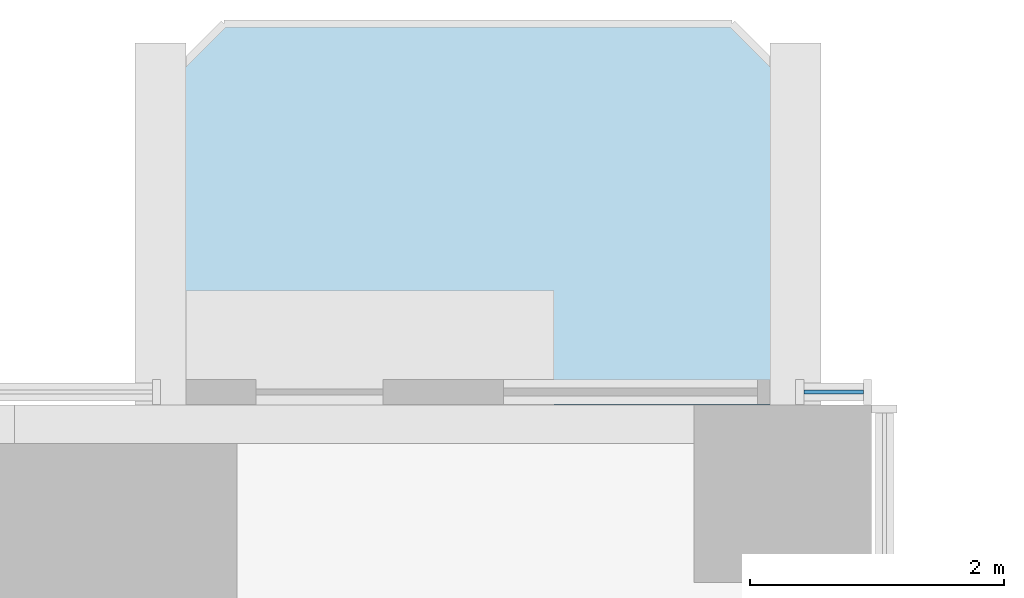
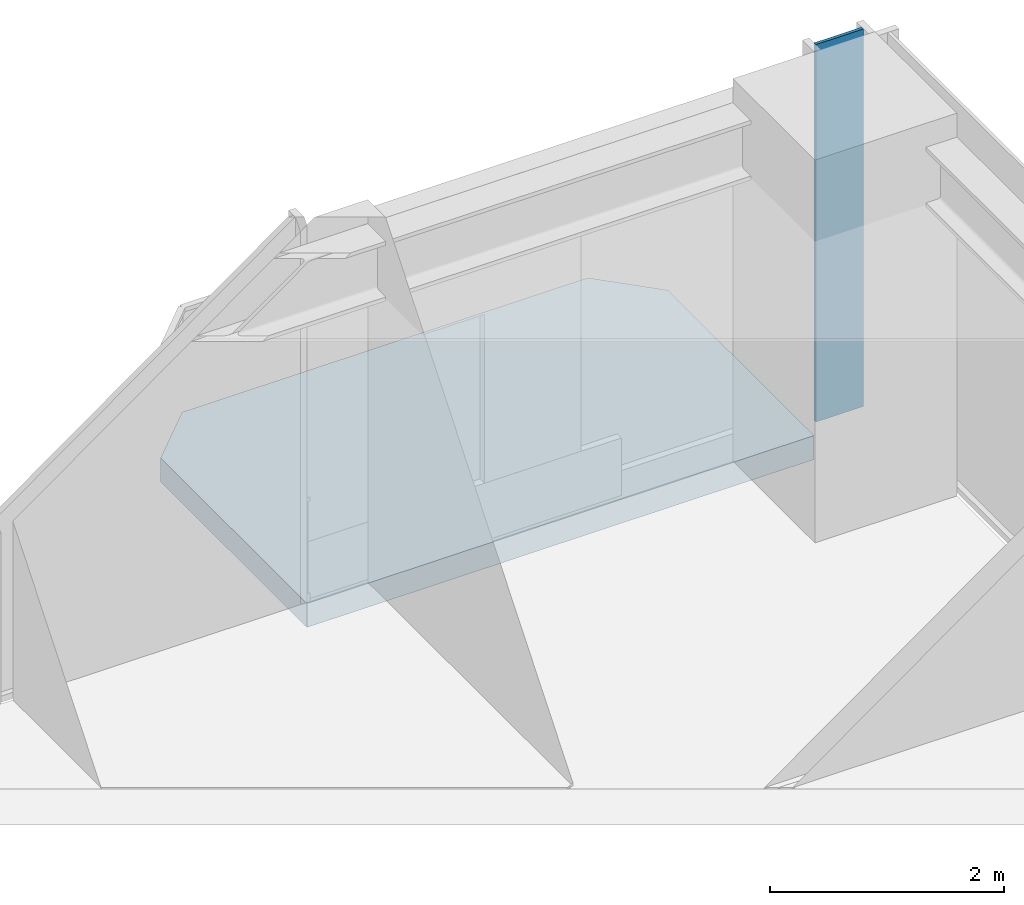
# One storey, part 10 of 18: 1 plate, 1 slab, 1 element without a shape of its own.
"""IFC4 building model written with IfcOpenShell, lengths in metres."""

from ifc_helpers import new_model, si_unit, direction, frame, origin, origin_2d, place, context, subcontext, project, spatial, polyline, rectangle, outline, extrude, material, layer, layer_set, type_object, element, aggregate, save


model = new_model("IFC4")

# Units and contexts
model_context = context("Model", 3, precision=1e-05, world=origin(), true_north=direction((0.0, 1.0)))
body_context = subcontext(model_context, "Body", "Model", "MODEL_VIEW")
ifc_project = project(units=[si_unit("LENGTHUNIT", "METRE"), si_unit("AREAUNIT", "SQUARE_METRE"), si_unit("VOLUMEUNIT", "CUBIC_METRE"), si_unit("PLANEANGLEUNIT", "RADIAN"), si_unit("MASSUNIT", "GRAM", prefix="KILO")], contexts=[model_context])

# Site, building, storey
site_placement = place(None, origin())
site = spatial("IfcSite", under=ifc_project, at=site_placement, CompositionType="ELEMENT")
building_placement = place(site_placement, origin())
building = spatial("IfcBuilding", under=site, at=building_placement, Name="Svetlomir Tower", CompositionType="ELEMENT")
storey_placement = place(building_placement, frame((0.0, 0.0, 78.5)))
storey = spatial("IfcBuildingStorey", under=building, at=storey_placement, Name="L18", CompositionType="ELEMENT", Elevation=78.5)

# Slab
ifc_material_1 = material(Name="Concrete C60/75", Category="concrete")
ifc_layer_1 = layer(ifc_material_1, 0.25)
ifc_layer_set_1 = layer_set([ifc_layer_1], Name="Concrete C60/75")
slab_type = type_object("IfcSlabType", Name="BALCONY SLAB 250", PredefinedType="FLOOR", material=ifc_layer_set_1)
slab_placement = place(storey_placement, frame((0.0, 0.0, -0.25)))
element("IfcSlab", 1, at=slab_placement, inside=storey, type_object=slab_type, Name="L18 N planted balcony", PredefinedType="FLOOR", context=body_context, shape_type="SweptSolid", body=[
    extrude(outline(polyline([(30.39990234375, 42.0), (35.39990234375, 42.0), (35.39990234375, 44.5), (34.89990234375, 45.0), (30.89990234375, 45.0), (30.39990234375, 44.5), (30.39990234375, 42.0)])), origin(), (0.0, 0.0, 1.0), 0.25),
])

# Curtain wall, plate
ifc_material_2 = material(Name="Bronze anodised aluminium curtain wall", Category="aluminium")
curtain_wall_type = type_object("IfcCurtainWallType", Name="CURTAIN WALL CW1 TOWER OFFICE", PredefinedType="NOTDEFINED", material=ifc_material_2)
curtain_wall_placement = place(storey_placement, origin())
curtain_wall = element("IfcCurtainWall", 2, at=curtain_wall_placement, inside=storey, type_object=curtain_wall_type, Name="Curtain wall CW1 L18", PredefinedType="NOTDEFINED")
ifc_material_3 = material(Name="Tinted double glazed unit", Category="glass")
ifc_layer_2 = layer(ifc_material_3, 0.031982421875)
ifc_layer_set_2 = layer_set([ifc_layer_2], Name="Tinted double glazed unit")
plate_type = type_object("IfcPlateType", Name="CW1 GLAZED PANEL 32", PredefinedType="CURTAIN_PANEL", material=ifc_layer_set_2)
plate_placement = place(storey_placement, frame((35.699951171875, 42.10009765625, 0.06494140625), z_axis=(0.0, 0.0, 1.0), x_axis=(-1.0, 0.0, 0.0)))
plate = element("IfcPlate", 3, at=plate_placement, type_object=plate_type, Name="CW1 panel 1.1", PredefinedType="CURTAIN_PANEL", context=body_context, shape_type="SweptSolid", body=[
    extrude(rectangle(XDim=0.469970703125, YDim=0.031982421875, at=origin_2d()), origin(), (0.0, 0.0, 1.0), 3.93505859375),
])
aggregate(curtain_wall, [plate])

save(model, "model.ifc")
